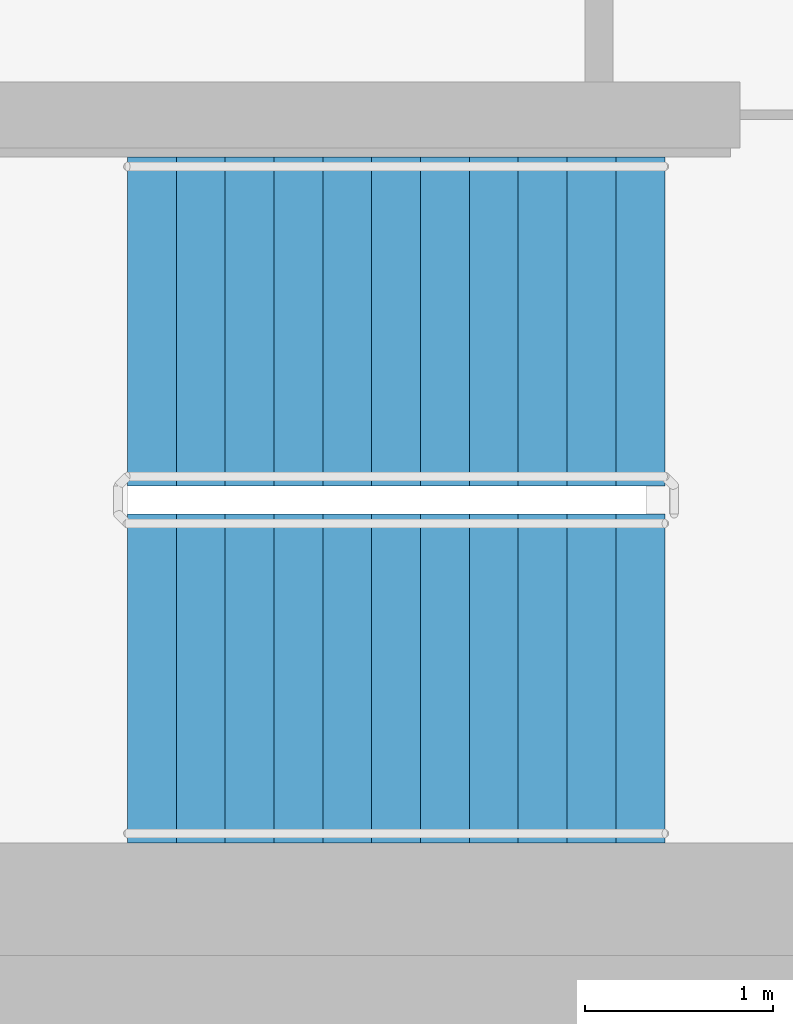
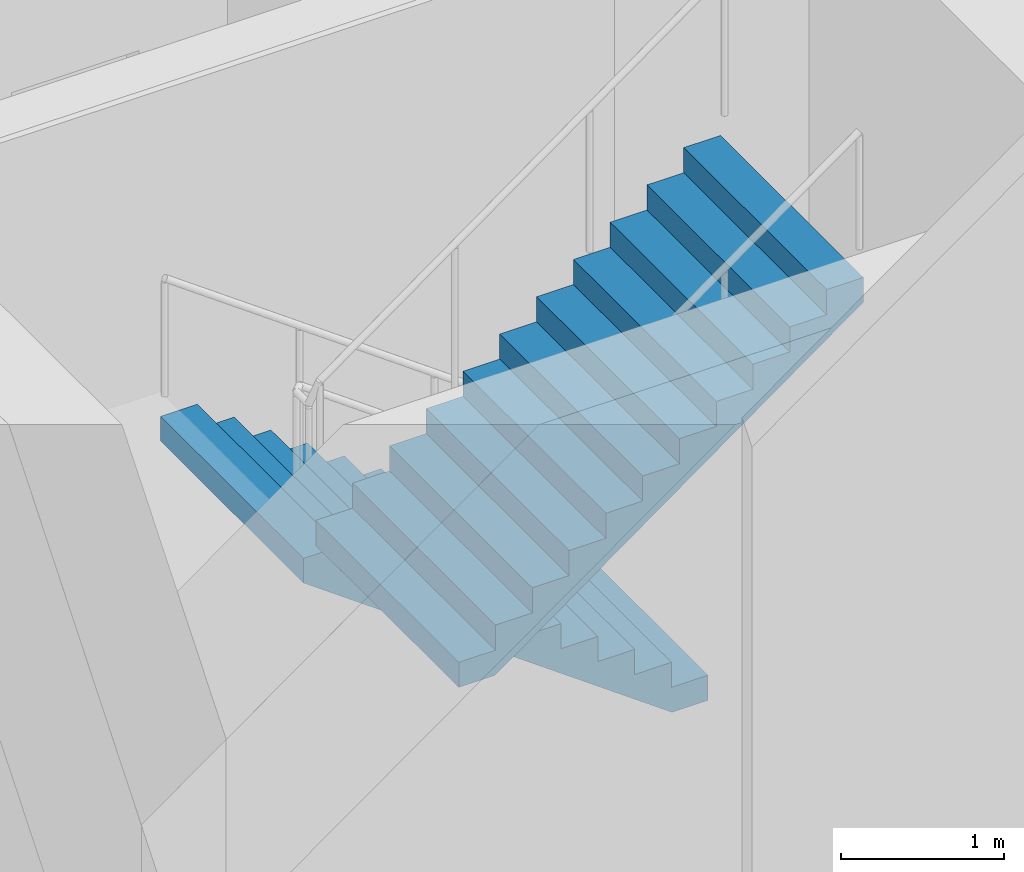
# One storey, part 11 of 16: 2 stair flights, 1 element without a shape of its own.
"""IFC4 building model written with IfcOpenShell, lengths in metres."""

from ifc_helpers import new_model, si_unit, direction, frame, origin, place, context, subcontext, project, spatial, faceted_brep, material, type_object, element, aggregate, save


model = new_model("IFC4")

# Units and contexts
model_context = context("Model", 3, precision=1e-05, world=origin(), true_north=direction((0.0, 1.0)))
body_context = subcontext(model_context, "Body", "Model", "MODEL_VIEW")
ifc_project = project(units=[si_unit("LENGTHUNIT", "METRE"), si_unit("AREAUNIT", "SQUARE_METRE"), si_unit("VOLUMEUNIT", "CUBIC_METRE"), si_unit("PLANEANGLEUNIT", "RADIAN"), si_unit("MASSUNIT", "GRAM", prefix="KILO")], contexts=[model_context])

# Site, building, storey
site_placement = place(None, origin())
site = spatial("IfcSite", under=ifc_project, at=site_placement, CompositionType="ELEMENT")
building_placement = place(site_placement, origin())
building = spatial("IfcBuilding", under=site, at=building_placement, Name="Ipe Terrace Towers", CompositionType="ELEMENT")
storey_placement = place(building_placement, frame((0.0, 0.0, 233.39990234375)))
storey = spatial("IfcBuildingStorey", under=building, at=storey_placement, Name="L65", CompositionType="ELEMENT", Elevation=233.39990234375)

# Stair, stair flights
ifc_material_1 = material(Name="Concrete C30/37", Category="concrete")
stair_type = type_object("IfcStairType", Name="Protected exit stair", PredefinedType="HALF_TURN_STAIR", material=ifc_material_1)
stair_placement = place(storey_placement, origin())
stair = element("IfcStair", 1, at=stair_placement, inside=storey, type_object=stair_type, Name="L65 Exit stair T1-C2", PredefinedType="HALF_TURN_STAIR")
ifc_material_2 = material(Name="Concrete C30/37", Category="concrete")
stair_flight_type = type_object("IfcStairFlightType", Name="Exit stair flight 1750", PredefinedType="STRAIGHT", material=ifc_material_2)
stair_flight_1_placement = place(storey_placement, frame((-45.699951171875, -2.77490234375, 0.0), z_axis=(0.0, 0.0, 1.0), x_axis=(-1.0, 0.0, 0.0)))
stair_flight_1 = element("IfcStairFlight", 2, at=stair_flight_1_placement, type_object=stair_flight_type, Name="T1-ST2 flight 1", NumberOfRisers=12, NumberOfTreads=11, PredefinedType="STRAIGHT", RiserHeight=0.1875, TreadLength=0.26, context=body_context, shape_type="Brep", body=[
    faceted_brep([(0.25634765625, -0.875, 0.0), (2.860107421875, -0.875, 1.877685546875), (2.860107421875, -0.875, 2.0625), (2.60009765625, -0.875, 2.0625), (2.60009765625, -0.875, 1.875), (2.340087890625, -0.875, 1.875), (2.340087890625, -0.875, 1.6875), (2.080078125, -0.875, 1.6875), (2.080078125, -0.875, 1.5), (1.820068359375, -0.875, 1.5), (1.820068359375, -0.875, 1.3125), (1.56005859375, -0.875, 1.3125), (1.56005859375, -0.875, 1.125), (1.300048828125, -0.875, 1.125), (1.300048828125, -0.875, 0.9375), (1.0400390625, -0.875, 0.9375), (1.0400390625, -0.875, 0.75), (0.780029296875, -0.875, 0.75), (0.780029296875, -0.875, 0.5625), (0.52001953125, -0.875, 0.5625), (0.52001953125, -0.875, 0.375), (0.260009765625, -0.875, 0.375), (0.260009765625, -0.875, 0.1875), (0.0, -0.875, 0.1875), (0.0, -0.875, 0.0), (0.0, 0.875, 0.0), (0.0, 0.875, 0.1875), (0.260009765625, 0.875, 0.1875), (0.260009765625, 0.875, 0.375), (0.52001953125, 0.875, 0.375), (0.52001953125, 0.875, 0.5625), (0.780029296875, 0.875, 0.5625), (0.780029296875, 0.875, 0.75), (1.0400390625, 0.875, 0.75), (1.0400390625, 0.875, 0.9375), (1.300048828125, 0.875, 0.9375), (1.300048828125, 0.875, 1.125), (1.56005859375, 0.875, 1.125), (1.56005859375, 0.875, 1.3125), (1.820068359375, 0.875, 1.3125), (1.820068359375, 0.875, 1.5), (2.080078125, 0.875, 1.5), (2.080078125, 0.875, 1.6875), (2.340087890625, 0.875, 1.6875), (2.340087890625, 0.875, 1.875), (2.60009765625, 0.875, 1.875), (2.60009765625, 0.875, 2.0625), (2.860107421875, 0.875, 2.0625), (2.860107421875, 0.875, 1.877685546875), (0.25634765625, 0.875, 0.0), (0.0, -0.300048828125, 0.1875), (0.0, -0.1201171875, 0.1875), (0.0, -0.06005859375, 0.1875), (0.0, -0.030029296875, 0.1875), (0.0, -0.010009765625, 0.1875), (0.0, 0.0, 0.1875), (0.0, 0.010009765625, 0.1875), (0.0, 0.030029296875, 0.1875), (0.0, 0.06005859375, 0.1875), (0.0, 0.1201171875, 0.1875), (0.0, 0.300048828125, 0.1875), (0.0, 0.300048828125, 0.0), (0.0, 0.1201171875, 0.0), (0.0, 0.06005859375, 0.0), (0.0, 0.030029296875, 0.0), (0.0, 0.010009765625, 0.0), (0.0, 0.0, 0.0), (0.0, -0.010009765625, 0.0), (0.0, -0.030029296875, 0.0), (0.0, -0.06005859375, 0.0), (0.0, -0.1201171875, 0.0), (0.0, -0.300048828125, 0.0), (0.260009765625, -0.300048828125, 0.1875), (0.260009765625, -0.1201171875, 0.1875), (0.260009765625, -0.06005859375, 0.1875), (0.260009765625, -0.030029296875, 0.1875), (0.260009765625, -0.010009765625, 0.1875), (0.260009765625, 0.0, 0.1875), (0.260009765625, 0.010009765625, 0.1875), (0.260009765625, 0.030029296875, 0.1875), (0.260009765625, 0.06005859375, 0.1875), (0.260009765625, 0.1201171875, 0.1875), (0.260009765625, 0.300048828125, 0.1875), (0.260009765625, -0.300048828125, 0.375), (0.260009765625, -0.1201171875, 0.375), (0.260009765625, -0.06005859375, 0.375), (0.260009765625, -0.030029296875, 0.375), (0.260009765625, -0.010009765625, 0.375), (0.260009765625, 0.0, 0.375), (0.260009765625, 0.010009765625, 0.375), (0.260009765625, 0.030029296875, 0.375), (0.260009765625, 0.06005859375, 0.375), (0.260009765625, 0.1201171875, 0.375), (0.260009765625, 0.300048828125, 0.375), (0.52001953125, -0.300048828125, 0.375), (0.52001953125, -0.1201171875, 0.375), (0.52001953125, -0.06005859375, 0.375), (0.52001953125, -0.030029296875, 0.375), (0.52001953125, -0.010009765625, 0.375), (0.52001953125, 0.0, 0.375), (0.52001953125, 0.010009765625, 0.375), (0.52001953125, 0.030029296875, 0.375), (0.52001953125, 0.06005859375, 0.375), (0.52001953125, 0.1201171875, 0.375), (0.52001953125, 0.300048828125, 0.375), (0.52001953125, -0.300048828125, 0.5625), (0.52001953125, -0.1201171875, 0.5625), (0.52001953125, -0.06005859375, 0.5625), (0.52001953125, -0.030029296875, 0.5625), (0.52001953125, -0.010009765625, 0.5625), (0.52001953125, 0.0, 0.5625), (0.52001953125, 0.010009765625, 0.5625), (0.52001953125, 0.030029296875, 0.5625), (0.52001953125, 0.06005859375, 0.5625), (0.52001953125, 0.1201171875, 0.5625), (0.52001953125, 0.300048828125, 0.5625), (0.780029296875, -0.300048828125, 0.5625), (0.780029296875, -0.1201171875, 0.5625), (0.780029296875, -0.06005859375, 0.5625), (0.780029296875, -0.030029296875, 0.5625), (0.780029296875, -0.010009765625, 0.5625), (0.780029296875, 0.0, 0.5625), (0.780029296875, 0.010009765625, 0.5625), (0.780029296875, 0.030029296875, 0.5625), (0.780029296875, 0.06005859375, 0.5625), (0.780029296875, 0.1201171875, 0.5625), (0.780029296875, 0.300048828125, 0.5625), (0.780029296875, -0.300048828125, 0.75), (0.780029296875, -0.1201171875, 0.75), (0.780029296875, -0.06005859375, 0.75), (0.780029296875, -0.030029296875, 0.75), (0.780029296875, -0.010009765625, 0.75), (0.780029296875, 0.0, 0.75), (0.780029296875, 0.010009765625, 0.75), (0.780029296875, 0.030029296875, 0.75), (0.780029296875, 0.06005859375, 0.75), (0.780029296875, 0.1201171875, 0.75), (0.780029296875, 0.300048828125, 0.75), (1.0400390625, -0.300048828125, 0.75), (1.0400390625, -0.1201171875, 0.75), (1.0400390625, -0.06005859375, 0.75), (1.0400390625, -0.030029296875, 0.75), (1.0400390625, -0.010009765625, 0.75), (1.0400390625, 0.0, 0.75), (1.0400390625, 0.010009765625, 0.75), (1.0400390625, 0.030029296875, 0.75), (1.0400390625, 0.06005859375, 0.75), (1.0400390625, 0.1201171875, 0.75), (1.0400390625, 0.300048828125, 0.75), (1.0400390625, -0.300048828125, 0.9375), (1.0400390625, -0.1201171875, 0.9375), (1.0400390625, -0.06005859375, 0.9375), (1.0400390625, -0.030029296875, 0.9375), (1.0400390625, -0.010009765625, 0.9375), (1.0400390625, 0.0, 0.9375), (1.0400390625, 0.010009765625, 0.9375), (1.0400390625, 0.030029296875, 0.9375), (1.0400390625, 0.06005859375, 0.9375), (1.0400390625, 0.1201171875, 0.9375), (1.0400390625, 0.300048828125, 0.9375), (1.300048828125, -0.300048828125, 0.9375), (1.300048828125, -0.1201171875, 0.9375), (1.300048828125, -0.06005859375, 0.9375), (1.300048828125, -0.030029296875, 0.9375), (1.300048828125, -0.010009765625, 0.9375), (1.300048828125, 0.0, 0.9375), (1.300048828125, 0.010009765625, 0.9375), (1.300048828125, 0.030029296875, 0.9375), (1.300048828125, 0.06005859375, 0.9375), (1.300048828125, 0.1201171875, 0.9375), (1.300048828125, 0.300048828125, 0.9375), (1.300048828125, -0.300048828125, 1.125), (1.300048828125, -0.1201171875, 1.125), (1.300048828125, -0.06005859375, 1.125), (1.300048828125, -0.030029296875, 1.125), (1.300048828125, -0.010009765625, 1.125), (1.300048828125, 0.0, 1.125), (1.300048828125, 0.010009765625, 1.125), (1.300048828125, 0.030029296875, 1.125), (1.300048828125, 0.06005859375, 1.125), (1.300048828125, 0.1201171875, 1.125), (1.300048828125, 0.300048828125, 1.125), (1.56005859375, -0.300048828125, 1.125), (1.56005859375, -0.1201171875, 1.125), (1.56005859375, -0.06005859375, 1.125), (1.56005859375, -0.030029296875, 1.125), (1.56005859375, -0.010009765625, 1.125), (1.56005859375, 0.0, 1.125), (1.56005859375, 0.010009765625, 1.125), (1.56005859375, 0.030029296875, 1.125), (1.56005859375, 0.06005859375, 1.125), (1.56005859375, 0.1201171875, 1.125), (1.56005859375, 0.300048828125, 1.125), (1.56005859375, -0.300048828125, 1.3125), (1.56005859375, -0.1201171875, 1.3125), (1.56005859375, -0.06005859375, 1.3125), (1.56005859375, -0.030029296875, 1.3125), (1.56005859375, -0.010009765625, 1.3125), (1.56005859375, 0.0, 1.3125), (1.56005859375, 0.010009765625, 1.3125), (1.56005859375, 0.030029296875, 1.3125), (1.56005859375, 0.06005859375, 1.3125), (1.56005859375, 0.1201171875, 1.3125), (1.56005859375, 0.300048828125, 1.3125), (1.820068359375, -0.300048828125, 1.3125), (1.820068359375, -0.1201171875, 1.3125), (1.820068359375, -0.06005859375, 1.3125), (1.820068359375, -0.030029296875, 1.3125), (1.820068359375, -0.010009765625, 1.3125), (1.820068359375, 0.0, 1.3125), (1.820068359375, 0.010009765625, 1.3125), (1.820068359375, 0.030029296875, 1.3125), (1.820068359375, 0.06005859375, 1.3125), (1.820068359375, 0.1201171875, 1.3125), (1.820068359375, 0.300048828125, 1.3125), (1.820068359375, -0.300048828125, 1.5), (1.820068359375, -0.1201171875, 1.5), (1.820068359375, -0.06005859375, 1.5), (1.820068359375, -0.030029296875, 1.5), (1.820068359375, -0.010009765625, 1.5), (1.820068359375, 0.0, 1.5), (1.820068359375, 0.010009765625, 1.5), (1.820068359375, 0.030029296875, 1.5), (1.820068359375, 0.06005859375, 1.5), (1.820068359375, 0.1201171875, 1.5), (1.820068359375, 0.300048828125, 1.5), (2.080078125, -0.300048828125, 1.5), (2.080078125, -0.1201171875, 1.5), (2.080078125, -0.06005859375, 1.5), (2.080078125, -0.030029296875, 1.5), (2.080078125, -0.010009765625, 1.5), (2.080078125, 0.0, 1.5), (2.080078125, 0.010009765625, 1.5), (2.080078125, 0.030029296875, 1.5), (2.080078125, 0.06005859375, 1.5), (2.080078125, 0.1201171875, 1.5), (2.080078125, 0.300048828125, 1.5), (2.080078125, -0.300048828125, 1.6875), (2.080078125, -0.1201171875, 1.6875), (2.080078125, -0.06005859375, 1.6875), (2.080078125, -0.030029296875, 1.6875), (2.080078125, -0.010009765625, 1.6875), (2.080078125, 0.0, 1.6875), (2.080078125, 0.010009765625, 1.6875), (2.080078125, 0.030029296875, 1.6875), (2.080078125, 0.06005859375, 1.6875), (2.080078125, 0.1201171875, 1.6875), (2.080078125, 0.300048828125, 1.6875), (2.340087890625, -0.300048828125, 1.6875), (2.340087890625, -0.1201171875, 1.6875), (2.340087890625, -0.06005859375, 1.6875), (2.340087890625, -0.030029296875, 1.6875), (2.340087890625, -0.010009765625, 1.6875), (2.340087890625, 0.0, 1.6875), (2.340087890625, 0.010009765625, 1.6875), (2.340087890625, 0.030029296875, 1.6875), (2.340087890625, 0.06005859375, 1.6875), (2.340087890625, 0.1201171875, 1.6875), (2.340087890625, 0.300048828125, 1.6875), (2.340087890625, -0.300048828125, 1.875), (2.340087890625, -0.1201171875, 1.875), (2.340087890625, -0.06005859375, 1.875), (2.340087890625, -0.030029296875, 1.875), (2.340087890625, -0.010009765625, 1.875), (2.340087890625, 0.0, 1.875), (2.340087890625, 0.010009765625, 1.875), (2.340087890625, 0.030029296875, 1.875), (2.340087890625, 0.06005859375, 1.875), (2.340087890625, 0.1201171875, 1.875), (2.340087890625, 0.300048828125, 1.875), (2.60009765625, -0.300048828125, 1.875), (2.60009765625, -0.1201171875, 1.875), (2.60009765625, -0.06005859375, 1.875), (2.60009765625, -0.030029296875, 1.875), (2.60009765625, -0.010009765625, 1.875), (2.60009765625, 0.0, 1.875), (2.60009765625, 0.010009765625, 1.875), (2.60009765625, 0.030029296875, 1.875), (2.60009765625, 0.06005859375, 1.875), (2.60009765625, 0.1201171875, 1.875), (2.60009765625, 0.300048828125, 1.875), (2.60009765625, -0.300048828125, 2.0625), (2.60009765625, -0.1201171875, 2.0625), (2.60009765625, -0.06005859375, 2.0625), (2.60009765625, -0.030029296875, 2.0625), (2.60009765625, -0.010009765625, 2.0625), (2.60009765625, 0.0, 2.0625), (2.60009765625, 0.010009765625, 2.0625), (2.60009765625, 0.030029296875, 2.0625), (2.60009765625, 0.06005859375, 2.0625), (2.60009765625, 0.1201171875, 2.0625), (2.60009765625, 0.300048828125, 2.0625), (2.860107421875, -0.300048828125, 2.0625), (2.860107421875, -0.1201171875, 2.0625), (2.860107421875, -0.06005859375, 2.0625), (2.860107421875, -0.030029296875, 2.0625), (2.860107421875, -0.010009765625, 2.0625), (2.860107421875, 0.0, 2.0625), (2.860107421875, 0.010009765625, 2.0625), (2.860107421875, 0.030029296875, 2.0625), (2.860107421875, 0.06005859375, 2.0625), (2.860107421875, 0.1201171875, 2.0625), (2.860107421875, 0.300048828125, 2.0625), (2.860107421875, -0.300048828125, 1.877685546875), (2.860107421875, -0.1201171875, 1.877685546875), (2.860107421875, -0.06005859375, 1.877685546875), (2.860107421875, -0.030029296875, 1.877685546875), (2.860107421875, -0.010009765625, 1.877685546875), (2.860107421875, 0.0, 1.877685546875), (2.860107421875, 0.010009765625, 1.877685546875), (2.860107421875, 0.030029296875, 1.877685546875), (2.860107421875, 0.06005859375, 1.877685546875), (2.860107421875, 0.1201171875, 1.877685546875), (2.860107421875, 0.300048828125, 1.877685546875), (0.25634765625, -0.300048828125, 0.0), (0.25634765625, -0.1201171875, 0.0), (0.25634765625, -0.06005859375, 0.0), (0.25634765625, -0.030029296875, 0.0), (0.25634765625, -0.010009765625, 0.0), (0.25634765625, 0.0, 0.0), (0.25634765625, 0.010009765625, 0.0), (0.25634765625, 0.030029296875, 0.0), (0.25634765625, 0.06005859375, 0.0), (0.25634765625, 0.1201171875, 0.0), (0.25634765625, 0.300048828125, 0.0)], [[[0, 1, 2, 3, 4, 5, 6, 7, 8, 9, 10, 11, 12, 13, 14, 15, 16, 17, 18, 19, 20, 21, 22, 23, 24]], [[25, 26, 27, 28, 29, 30, 31, 32, 33, 34, 35, 36, 37, 38, 39, 40, 41, 42, 43, 44, 45, 46, 47, 48, 49]], [[23, 50, 51, 52, 53, 54, 55, 56, 57, 58, 59, 60, 26, 25, 61, 62, 63, 64, 65, 66, 67, 68, 69, 70, 71, 24]], [[22, 72, 73, 74, 75, 76, 77, 78, 79, 80, 81, 82, 27, 26, 60, 59, 58, 57, 56, 55, 54, 53, 52, 51, 50, 23]], [[21, 83, 84, 85, 86, 87, 88, 89, 90, 91, 92, 93, 28, 27, 82, 81, 80, 79, 78, 77, 76, 75, 74, 73, 72, 22]], [[20, 94, 95, 96, 97, 98, 99, 100, 101, 102, 103, 104, 29, 28, 93, 92, 91, 90, 89, 88, 87, 86, 85, 84, 83, 21]], [[19, 105, 106, 107, 108, 109, 110, 111, 112, 113, 114, 115, 30, 29, 104, 103, 102, 101, 100, 99, 98, 97, 96, 95, 94, 20]], [[18, 116, 117, 118, 119, 120, 121, 122, 123, 124, 125, 126, 31, 30, 115, 114, 113, 112, 111, 110, 109, 108, 107, 106, 105, 19]], [[17, 127, 128, 129, 130, 131, 132, 133, 134, 135, 136, 137, 32, 31, 126, 125, 124, 123, 122, 121, 120, 119, 118, 117, 116, 18]], [[16, 138, 139, 140, 141, 142, 143, 144, 145, 146, 147, 148, 33, 32, 137, 136, 135, 134, 133, 132, 131, 130, 129, 128, 127, 17]], [[15, 149, 150, 151, 152, 153, 154, 155, 156, 157, 158, 159, 34, 33, 148, 147, 146, 145, 144, 143, 142, 141, 140, 139, 138, 16]], [[14, 160, 161, 162, 163, 164, 165, 166, 167, 168, 169, 170, 35, 34, 159, 158, 157, 156, 155, 154, 153, 152, 151, 150, 149, 15]], [[13, 171, 172, 173, 174, 175, 176, 177, 178, 179, 180, 181, 36, 35, 170, 169, 168, 167, 166, 165, 164, 163, 162, 161, 160, 14]], [[12, 182, 183, 184, 185, 186, 187, 188, 189, 190, 191, 192, 37, 36, 181, 180, 179, 178, 177, 176, 175, 174, 173, 172, 171, 13]], [[11, 193, 194, 195, 196, 197, 198, 199, 200, 201, 202, 203, 38, 37, 192, 191, 190, 189, 188, 187, 186, 185, 184, 183, 182, 12]], [[10, 204, 205, 206, 207, 208, 209, 210, 211, 212, 213, 214, 39, 38, 203, 202, 201, 200, 199, 198, 197, 196, 195, 194, 193, 11]], [[9, 215, 216, 217, 218, 219, 220, 221, 222, 223, 224, 225, 40, 39, 214, 213, 212, 211, 210, 209, 208, 207, 206, 205, 204, 10]], [[8, 226, 227, 228, 229, 230, 231, 232, 233, 234, 235, 236, 41, 40, 225, 224, 223, 222, 221, 220, 219, 218, 217, 216, 215, 9]], [[7, 237, 238, 239, 240, 241, 242, 243, 244, 245, 246, 247, 42, 41, 236, 235, 234, 233, 232, 231, 230, 229, 228, 227, 226, 8]], [[6, 248, 249, 250, 251, 252, 253, 254, 255, 256, 257, 258, 43, 42, 247, 246, 245, 244, 243, 242, 241, 240, 239, 238, 237, 7]], [[5, 259, 260, 261, 262, 263, 264, 265, 266, 267, 268, 269, 44, 43, 258, 257, 256, 255, 254, 253, 252, 251, 250, 249, 248, 6]], [[4, 270, 271, 272, 273, 274, 275, 276, 277, 278, 279, 280, 45, 44, 269, 268, 267, 266, 265, 264, 263, 262, 261, 260, 259, 5]], [[3, 281, 282, 283, 284, 285, 286, 287, 288, 289, 290, 291, 46, 45, 280, 279, 278, 277, 276, 275, 274, 273, 272, 271, 270, 4]], [[2, 292, 293, 294, 295, 296, 297, 298, 299, 300, 301, 302, 47, 46, 291, 290, 289, 288, 287, 286, 285, 284, 283, 282, 281, 3]], [[1, 303, 304, 305, 306, 307, 308, 309, 310, 311, 312, 313, 48, 47, 302, 301, 300, 299, 298, 297, 296, 295, 294, 293, 292, 2]], [[0, 314, 315, 316, 317, 318, 319, 320, 321, 322, 323, 324, 49, 48, 313, 312, 311, 310, 309, 308, 307, 306, 305, 304, 303, 1]], [[24, 71, 70, 69, 68, 67, 66, 65, 64, 63, 62, 61, 25, 49, 324, 323, 322, 321, 320, 319, 318, 317, 316, 315, 314, 0]]]),
])
stair_flight_2_placement = place(storey_placement, frame((-48.56005859375, -4.675048828125, 2.25), z_axis=(0.0, 0.0, 1.0), x_axis=(1.0, 0.0, 0.0)))
stair_flight_2 = element("IfcStairFlight", 3, at=stair_flight_2_placement, type_object=stair_flight_type, Name="T1-ST2 flight 2", NumberOfRisers=12, NumberOfTreads=11, PredefinedType="STRAIGHT", RiserHeight=0.1875, TreadLength=0.26, context=body_context, shape_type="Brep", body=[
    faceted_brep([(0.25634765625, -0.875, 0.0), (2.860107421875, -0.875, 1.877685546875), (2.860107421875, -0.875, 2.0625), (2.60009765625, -0.875, 2.0625), (2.60009765625, -0.875, 1.875), (2.340087890625, -0.875, 1.875), (2.340087890625, -0.875, 1.6875), (2.080078125, -0.875, 1.6875), (2.080078125, -0.875, 1.5), (1.820068359375, -0.875, 1.5), (1.820068359375, -0.875, 1.3125), (1.56005859375, -0.875, 1.3125), (1.56005859375, -0.875, 1.125), (1.300048828125, -0.875, 1.125), (1.300048828125, -0.875, 0.9375), (1.0400390625, -0.875, 0.9375), (1.0400390625, -0.875, 0.75), (0.780029296875, -0.875, 0.75), (0.780029296875, -0.875, 0.5625), (0.52001953125, -0.875, 0.5625), (0.52001953125, -0.875, 0.375), (0.260009765625, -0.875, 0.375), (0.260009765625, -0.875, 0.1875), (0.0, -0.875, 0.1875), (0.0, -0.875, 0.0), (0.0, 0.875, 0.0), (0.0, 0.875, 0.1875), (0.260009765625, 0.875, 0.1875), (0.260009765625, 0.875, 0.375), (0.52001953125, 0.875, 0.375), (0.52001953125, 0.875, 0.5625), (0.780029296875, 0.875, 0.5625), (0.780029296875, 0.875, 0.75), (1.0400390625, 0.875, 0.75), (1.0400390625, 0.875, 0.9375), (1.300048828125, 0.875, 0.9375), (1.300048828125, 0.875, 1.125), (1.56005859375, 0.875, 1.125), (1.56005859375, 0.875, 1.3125), (1.820068359375, 0.875, 1.3125), (1.820068359375, 0.875, 1.5), (2.080078125, 0.875, 1.5), (2.080078125, 0.875, 1.6875), (2.340087890625, 0.875, 1.6875), (2.340087890625, 0.875, 1.875), (2.60009765625, 0.875, 1.875), (2.60009765625, 0.875, 2.0625), (2.860107421875, 0.875, 2.0625), (2.860107421875, 0.875, 1.877685546875), (0.25634765625, 0.875, 0.0), (0.0, -0.300048828125, 0.1875), (0.0, -0.1201171875, 0.1875), (0.0, -0.06005859375, 0.1875), (0.0, -0.030029296875, 0.1875), (0.0, -0.010009765625, 0.1875), (0.0, 0.0, 0.1875), (0.0, 0.010009765625, 0.1875), (0.0, 0.030029296875, 0.1875), (0.0, 0.06005859375, 0.1875), (0.0, 0.1201171875, 0.1875), (0.0, 0.300048828125, 0.1875), (0.0, 0.300048828125, 0.0), (0.0, 0.1201171875, 0.0), (0.0, 0.06005859375, 0.0), (0.0, 0.030029296875, 0.0), (0.0, 0.010009765625, 0.0), (0.0, 0.0, 0.0), (0.0, -0.010009765625, 0.0), (0.0, -0.030029296875, 0.0), (0.0, -0.06005859375, 0.0), (0.0, -0.1201171875, 0.0), (0.0, -0.300048828125, 0.0), (0.260009765625, -0.300048828125, 0.1875), (0.260009765625, -0.1201171875, 0.1875), (0.260009765625, -0.06005859375, 0.1875), (0.260009765625, -0.030029296875, 0.1875), (0.260009765625, -0.010009765625, 0.1875), (0.260009765625, 0.0, 0.1875), (0.260009765625, 0.010009765625, 0.1875), (0.260009765625, 0.030029296875, 0.1875), (0.260009765625, 0.06005859375, 0.1875), (0.260009765625, 0.1201171875, 0.1875), (0.260009765625, 0.300048828125, 0.1875), (0.260009765625, -0.300048828125, 0.375), (0.260009765625, -0.1201171875, 0.375), (0.260009765625, -0.06005859375, 0.375), (0.260009765625, -0.030029296875, 0.375), (0.260009765625, -0.010009765625, 0.375), (0.260009765625, 0.0, 0.375), (0.260009765625, 0.010009765625, 0.375), (0.260009765625, 0.030029296875, 0.375), (0.260009765625, 0.06005859375, 0.375), (0.260009765625, 0.1201171875, 0.375), (0.260009765625, 0.300048828125, 0.375), (0.52001953125, -0.300048828125, 0.375), (0.52001953125, -0.1201171875, 0.375), (0.52001953125, -0.06005859375, 0.375), (0.52001953125, -0.030029296875, 0.375), (0.52001953125, -0.010009765625, 0.375), (0.52001953125, 0.0, 0.375), (0.52001953125, 0.010009765625, 0.375), (0.52001953125, 0.030029296875, 0.375), (0.52001953125, 0.06005859375, 0.375), (0.52001953125, 0.1201171875, 0.375), (0.52001953125, 0.300048828125, 0.375), (0.52001953125, -0.300048828125, 0.5625), (0.52001953125, -0.1201171875, 0.5625), (0.52001953125, -0.06005859375, 0.5625), (0.52001953125, -0.030029296875, 0.5625), (0.52001953125, -0.010009765625, 0.5625), (0.52001953125, 0.0, 0.5625), (0.52001953125, 0.010009765625, 0.5625), (0.52001953125, 0.030029296875, 0.5625), (0.52001953125, 0.06005859375, 0.5625), (0.52001953125, 0.1201171875, 0.5625), (0.52001953125, 0.300048828125, 0.5625), (0.780029296875, -0.300048828125, 0.5625), (0.780029296875, -0.1201171875, 0.5625), (0.780029296875, -0.06005859375, 0.5625), (0.780029296875, -0.030029296875, 0.5625), (0.780029296875, -0.010009765625, 0.5625), (0.780029296875, 0.0, 0.5625), (0.780029296875, 0.010009765625, 0.5625), (0.780029296875, 0.030029296875, 0.5625), (0.780029296875, 0.06005859375, 0.5625), (0.780029296875, 0.1201171875, 0.5625), (0.780029296875, 0.300048828125, 0.5625), (0.780029296875, -0.300048828125, 0.75), (0.780029296875, -0.1201171875, 0.75), (0.780029296875, -0.06005859375, 0.75), (0.780029296875, -0.030029296875, 0.75), (0.780029296875, -0.010009765625, 0.75), (0.780029296875, 0.0, 0.75), (0.780029296875, 0.010009765625, 0.75), (0.780029296875, 0.030029296875, 0.75), (0.780029296875, 0.06005859375, 0.75), (0.780029296875, 0.1201171875, 0.75), (0.780029296875, 0.300048828125, 0.75), (1.0400390625, -0.300048828125, 0.75), (1.0400390625, -0.1201171875, 0.75), (1.0400390625, -0.06005859375, 0.75), (1.0400390625, -0.030029296875, 0.75), (1.0400390625, -0.010009765625, 0.75), (1.0400390625, 0.0, 0.75), (1.0400390625, 0.010009765625, 0.75), (1.0400390625, 0.030029296875, 0.75), (1.0400390625, 0.06005859375, 0.75), (1.0400390625, 0.1201171875, 0.75), (1.0400390625, 0.300048828125, 0.75), (1.0400390625, -0.300048828125, 0.9375), (1.0400390625, -0.1201171875, 0.9375), (1.0400390625, -0.06005859375, 0.9375), (1.0400390625, -0.030029296875, 0.9375), (1.0400390625, -0.010009765625, 0.9375), (1.0400390625, 0.0, 0.9375), (1.0400390625, 0.010009765625, 0.9375), (1.0400390625, 0.030029296875, 0.9375), (1.0400390625, 0.06005859375, 0.9375), (1.0400390625, 0.1201171875, 0.9375), (1.0400390625, 0.300048828125, 0.9375), (1.300048828125, -0.300048828125, 0.9375), (1.300048828125, -0.1201171875, 0.9375), (1.300048828125, -0.06005859375, 0.9375), (1.300048828125, -0.030029296875, 0.9375), (1.300048828125, -0.010009765625, 0.9375), (1.300048828125, 0.0, 0.9375), (1.300048828125, 0.010009765625, 0.9375), (1.300048828125, 0.030029296875, 0.9375), (1.300048828125, 0.06005859375, 0.9375), (1.300048828125, 0.1201171875, 0.9375), (1.300048828125, 0.300048828125, 0.9375), (1.300048828125, -0.300048828125, 1.125), (1.300048828125, -0.1201171875, 1.125), (1.300048828125, -0.06005859375, 1.125), (1.300048828125, -0.030029296875, 1.125), (1.300048828125, -0.010009765625, 1.125), (1.300048828125, 0.0, 1.125), (1.300048828125, 0.010009765625, 1.125), (1.300048828125, 0.030029296875, 1.125), (1.300048828125, 0.06005859375, 1.125), (1.300048828125, 0.1201171875, 1.125), (1.300048828125, 0.300048828125, 1.125), (1.56005859375, -0.300048828125, 1.125), (1.56005859375, -0.1201171875, 1.125), (1.56005859375, -0.06005859375, 1.125), (1.56005859375, -0.030029296875, 1.125), (1.56005859375, -0.010009765625, 1.125), (1.56005859375, 0.0, 1.125), (1.56005859375, 0.010009765625, 1.125), (1.56005859375, 0.030029296875, 1.125), (1.56005859375, 0.06005859375, 1.125), (1.56005859375, 0.1201171875, 1.125), (1.56005859375, 0.300048828125, 1.125), (1.56005859375, -0.300048828125, 1.3125), (1.56005859375, -0.1201171875, 1.3125), (1.56005859375, -0.06005859375, 1.3125), (1.56005859375, -0.030029296875, 1.3125), (1.56005859375, -0.010009765625, 1.3125), (1.56005859375, 0.0, 1.3125), (1.56005859375, 0.010009765625, 1.3125), (1.56005859375, 0.030029296875, 1.3125), (1.56005859375, 0.06005859375, 1.3125), (1.56005859375, 0.1201171875, 1.3125), (1.56005859375, 0.300048828125, 1.3125), (1.820068359375, -0.300048828125, 1.3125), (1.820068359375, -0.1201171875, 1.3125), (1.820068359375, -0.06005859375, 1.3125), (1.820068359375, -0.030029296875, 1.3125), (1.820068359375, -0.010009765625, 1.3125), (1.820068359375, 0.0, 1.3125), (1.820068359375, 0.010009765625, 1.3125), (1.820068359375, 0.030029296875, 1.3125), (1.820068359375, 0.06005859375, 1.3125), (1.820068359375, 0.1201171875, 1.3125), (1.820068359375, 0.300048828125, 1.3125), (1.820068359375, -0.300048828125, 1.5), (1.820068359375, -0.1201171875, 1.5), (1.820068359375, -0.06005859375, 1.5), (1.820068359375, -0.030029296875, 1.5), (1.820068359375, -0.010009765625, 1.5), (1.820068359375, 0.0, 1.5), (1.820068359375, 0.010009765625, 1.5), (1.820068359375, 0.030029296875, 1.5), (1.820068359375, 0.06005859375, 1.5), (1.820068359375, 0.1201171875, 1.5), (1.820068359375, 0.300048828125, 1.5), (2.080078125, -0.300048828125, 1.5), (2.080078125, -0.1201171875, 1.5), (2.080078125, -0.06005859375, 1.5), (2.080078125, -0.030029296875, 1.5), (2.080078125, -0.010009765625, 1.5), (2.080078125, 0.0, 1.5), (2.080078125, 0.010009765625, 1.5), (2.080078125, 0.030029296875, 1.5), (2.080078125, 0.06005859375, 1.5), (2.080078125, 0.1201171875, 1.5), (2.080078125, 0.300048828125, 1.5), (2.080078125, -0.300048828125, 1.6875), (2.080078125, -0.1201171875, 1.6875), (2.080078125, -0.06005859375, 1.6875), (2.080078125, -0.030029296875, 1.6875), (2.080078125, -0.010009765625, 1.6875), (2.080078125, 0.0, 1.6875), (2.080078125, 0.010009765625, 1.6875), (2.080078125, 0.030029296875, 1.6875), (2.080078125, 0.06005859375, 1.6875), (2.080078125, 0.1201171875, 1.6875), (2.080078125, 0.300048828125, 1.6875), (2.340087890625, -0.300048828125, 1.6875), (2.340087890625, -0.1201171875, 1.6875), (2.340087890625, -0.06005859375, 1.6875), (2.340087890625, -0.030029296875, 1.6875), (2.340087890625, -0.010009765625, 1.6875), (2.340087890625, 0.0, 1.6875), (2.340087890625, 0.010009765625, 1.6875), (2.340087890625, 0.030029296875, 1.6875), (2.340087890625, 0.06005859375, 1.6875), (2.340087890625, 0.1201171875, 1.6875), (2.340087890625, 0.300048828125, 1.6875), (2.340087890625, -0.300048828125, 1.875), (2.340087890625, -0.1201171875, 1.875), (2.340087890625, -0.06005859375, 1.875), (2.340087890625, -0.030029296875, 1.875), (2.340087890625, -0.010009765625, 1.875), (2.340087890625, 0.0, 1.875), (2.340087890625, 0.010009765625, 1.875), (2.340087890625, 0.030029296875, 1.875), (2.340087890625, 0.06005859375, 1.875), (2.340087890625, 0.1201171875, 1.875), (2.340087890625, 0.300048828125, 1.875), (2.60009765625, -0.300048828125, 1.875), (2.60009765625, -0.1201171875, 1.875), (2.60009765625, -0.06005859375, 1.875), (2.60009765625, -0.030029296875, 1.875), (2.60009765625, -0.010009765625, 1.875), (2.60009765625, 0.0, 1.875), (2.60009765625, 0.010009765625, 1.875), (2.60009765625, 0.030029296875, 1.875), (2.60009765625, 0.06005859375, 1.875), (2.60009765625, 0.1201171875, 1.875), (2.60009765625, 0.300048828125, 1.875), (2.60009765625, -0.300048828125, 2.0625), (2.60009765625, -0.1201171875, 2.0625), (2.60009765625, -0.06005859375, 2.0625), (2.60009765625, -0.030029296875, 2.0625), (2.60009765625, -0.010009765625, 2.0625), (2.60009765625, 0.0, 2.0625), (2.60009765625, 0.010009765625, 2.0625), (2.60009765625, 0.030029296875, 2.0625), (2.60009765625, 0.06005859375, 2.0625), (2.60009765625, 0.1201171875, 2.0625), (2.60009765625, 0.300048828125, 2.0625), (2.860107421875, -0.300048828125, 2.0625), (2.860107421875, -0.1201171875, 2.0625), (2.860107421875, -0.06005859375, 2.0625), (2.860107421875, -0.030029296875, 2.0625), (2.860107421875, -0.010009765625, 2.0625), (2.860107421875, 0.0, 2.0625), (2.860107421875, 0.010009765625, 2.0625), (2.860107421875, 0.030029296875, 2.0625), (2.860107421875, 0.06005859375, 2.0625), (2.860107421875, 0.1201171875, 2.0625), (2.860107421875, 0.300048828125, 2.0625), (2.860107421875, -0.300048828125, 1.877685546875), (2.860107421875, -0.1201171875, 1.877685546875), (2.860107421875, -0.06005859375, 1.877685546875), (2.860107421875, -0.030029296875, 1.877685546875), (2.860107421875, -0.010009765625, 1.877685546875), (2.860107421875, 0.0, 1.877685546875), (2.860107421875, 0.010009765625, 1.877685546875), (2.860107421875, 0.030029296875, 1.877685546875), (2.860107421875, 0.06005859375, 1.877685546875), (2.860107421875, 0.1201171875, 1.877685546875), (2.860107421875, 0.300048828125, 1.877685546875), (0.25634765625, -0.300048828125, 0.0), (0.25634765625, -0.1201171875, 0.0), (0.25634765625, -0.06005859375, 0.0), (0.25634765625, -0.030029296875, 0.0), (0.25634765625, -0.010009765625, 0.0), (0.25634765625, 0.0, 0.0), (0.25634765625, 0.010009765625, 0.0), (0.25634765625, 0.030029296875, 0.0), (0.25634765625, 0.06005859375, 0.0), (0.25634765625, 0.1201171875, 0.0), (0.25634765625, 0.300048828125, 0.0)], [[[0, 1, 2, 3, 4, 5, 6, 7, 8, 9, 10, 11, 12, 13, 14, 15, 16, 17, 18, 19, 20, 21, 22, 23, 24]], [[25, 26, 27, 28, 29, 30, 31, 32, 33, 34, 35, 36, 37, 38, 39, 40, 41, 42, 43, 44, 45, 46, 47, 48, 49]], [[23, 50, 51, 52, 53, 54, 55, 56, 57, 58, 59, 60, 26, 25, 61, 62, 63, 64, 65, 66, 67, 68, 69, 70, 71, 24]], [[22, 72, 73, 74, 75, 76, 77, 78, 79, 80, 81, 82, 27, 26, 60, 59, 58, 57, 56, 55, 54, 53, 52, 51, 50, 23]], [[21, 83, 84, 85, 86, 87, 88, 89, 90, 91, 92, 93, 28, 27, 82, 81, 80, 79, 78, 77, 76, 75, 74, 73, 72, 22]], [[20, 94, 95, 96, 97, 98, 99, 100, 101, 102, 103, 104, 29, 28, 93, 92, 91, 90, 89, 88, 87, 86, 85, 84, 83, 21]], [[19, 105, 106, 107, 108, 109, 110, 111, 112, 113, 114, 115, 30, 29, 104, 103, 102, 101, 100, 99, 98, 97, 96, 95, 94, 20]], [[18, 116, 117, 118, 119, 120, 121, 122, 123, 124, 125, 126, 31, 30, 115, 114, 113, 112, 111, 110, 109, 108, 107, 106, 105, 19]], [[17, 127, 128, 129, 130, 131, 132, 133, 134, 135, 136, 137, 32, 31, 126, 125, 124, 123, 122, 121, 120, 119, 118, 117, 116, 18]], [[16, 138, 139, 140, 141, 142, 143, 144, 145, 146, 147, 148, 33, 32, 137, 136, 135, 134, 133, 132, 131, 130, 129, 128, 127, 17]], [[15, 149, 150, 151, 152, 153, 154, 155, 156, 157, 158, 159, 34, 33, 148, 147, 146, 145, 144, 143, 142, 141, 140, 139, 138, 16]], [[14, 160, 161, 162, 163, 164, 165, 166, 167, 168, 169, 170, 35, 34, 159, 158, 157, 156, 155, 154, 153, 152, 151, 150, 149, 15]], [[13, 171, 172, 173, 174, 175, 176, 177, 178, 179, 180, 181, 36, 35, 170, 169, 168, 167, 166, 165, 164, 163, 162, 161, 160, 14]], [[12, 182, 183, 184, 185, 186, 187, 188, 189, 190, 191, 192, 37, 36, 181, 180, 179, 178, 177, 176, 175, 174, 173, 172, 171, 13]], [[11, 193, 194, 195, 196, 197, 198, 199, 200, 201, 202, 203, 38, 37, 192, 191, 190, 189, 188, 187, 186, 185, 184, 183, 182, 12]], [[10, 204, 205, 206, 207, 208, 209, 210, 211, 212, 213, 214, 39, 38, 203, 202, 201, 200, 199, 198, 197, 196, 195, 194, 193, 11]], [[9, 215, 216, 217, 218, 219, 220, 221, 222, 223, 224, 225, 40, 39, 214, 213, 212, 211, 210, 209, 208, 207, 206, 205, 204, 10]], [[8, 226, 227, 228, 229, 230, 231, 232, 233, 234, 235, 236, 41, 40, 225, 224, 223, 222, 221, 220, 219, 218, 217, 216, 215, 9]], [[7, 237, 238, 239, 240, 241, 242, 243, 244, 245, 246, 247, 42, 41, 236, 235, 234, 233, 232, 231, 230, 229, 228, 227, 226, 8]], [[6, 248, 249, 250, 251, 252, 253, 254, 255, 256, 257, 258, 43, 42, 247, 246, 245, 244, 243, 242, 241, 240, 239, 238, 237, 7]], [[5, 259, 260, 261, 262, 263, 264, 265, 266, 267, 268, 269, 44, 43, 258, 257, 256, 255, 254, 253, 252, 251, 250, 249, 248, 6]], [[4, 270, 271, 272, 273, 274, 275, 276, 277, 278, 279, 280, 45, 44, 269, 268, 267, 266, 265, 264, 263, 262, 261, 260, 259, 5]], [[3, 281, 282, 283, 284, 285, 286, 287, 288, 289, 290, 291, 46, 45, 280, 279, 278, 277, 276, 275, 274, 273, 272, 271, 270, 4]], [[2, 292, 293, 294, 295, 296, 297, 298, 299, 300, 301, 302, 47, 46, 291, 290, 289, 288, 287, 286, 285, 284, 283, 282, 281, 3]], [[1, 303, 304, 305, 306, 307, 308, 309, 310, 311, 312, 313, 48, 47, 302, 301, 300, 299, 298, 297, 296, 295, 294, 293, 292, 2]], [[0, 314, 315, 316, 317, 318, 319, 320, 321, 322, 323, 324, 49, 48, 313, 312, 311, 310, 309, 308, 307, 306, 305, 304, 303, 1]], [[24, 71, 70, 69, 68, 67, 66, 65, 64, 63, 62, 61, 25, 49, 324, 323, 322, 321, 320, 319, 318, 317, 316, 315, 314, 0]]]),
])
aggregate(stair, [stair_flight_1, stair_flight_2])

save(model, "model.ifc")
